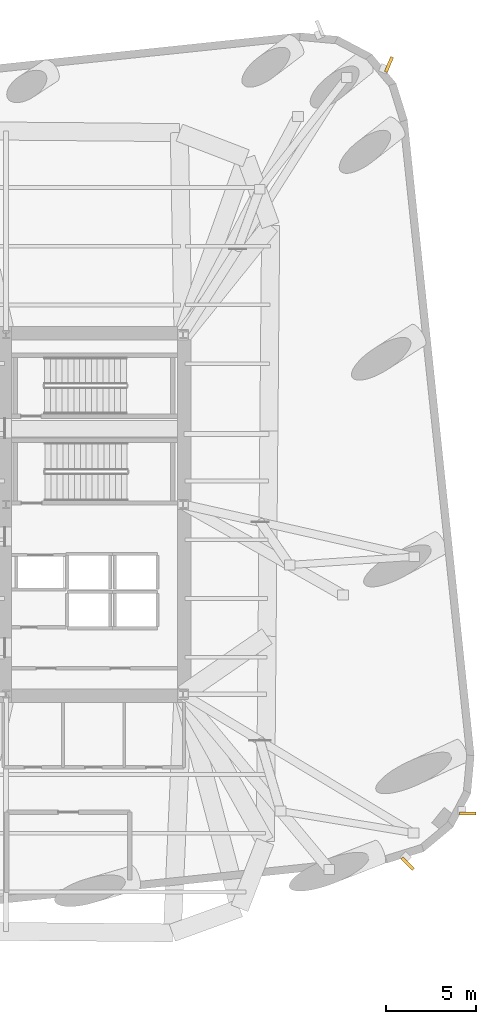
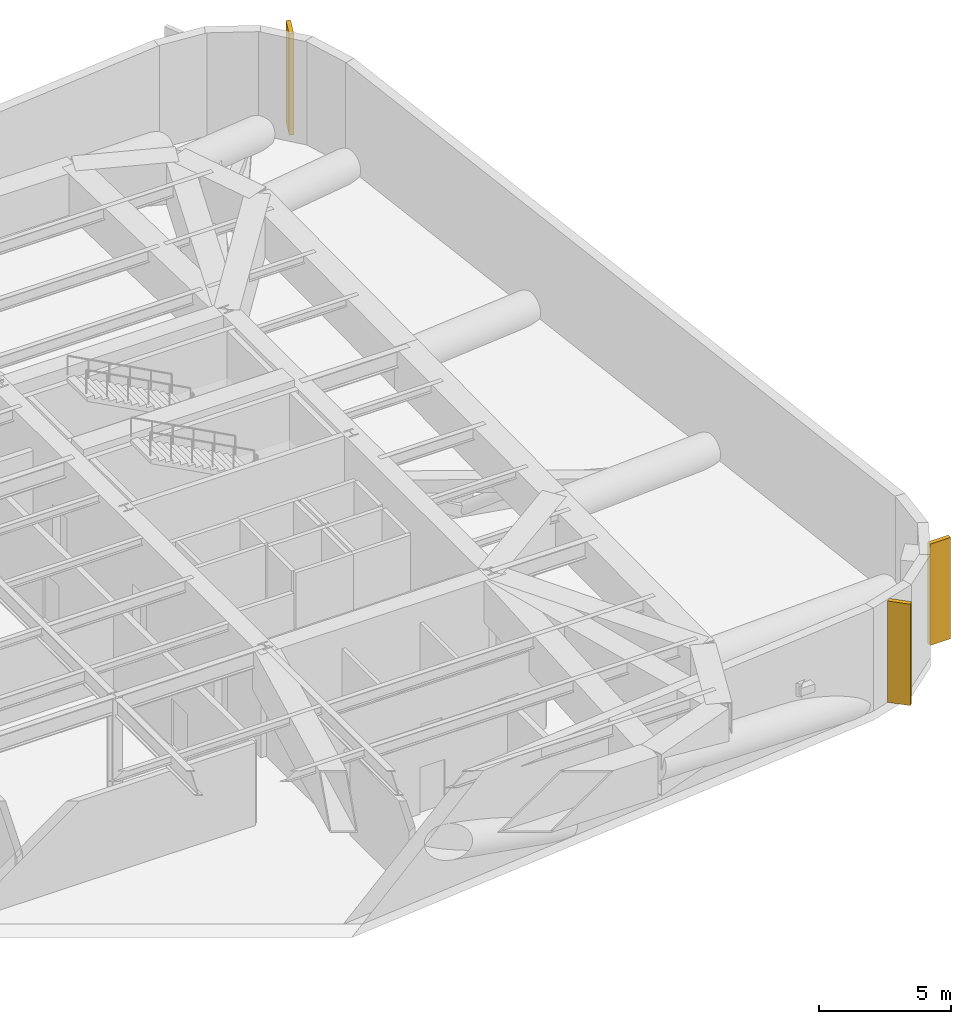
# One storey, part 15 of 15: 3 shading devices.
"""IFC4 building model written with IfcOpenShell, lengths in metres."""

from ifc_helpers import new_model, si_unit, direction, frame, origin, origin_2d, place, context, subcontext, project, spatial, rectangle, extrude, material, type_object, element, save


model = new_model("IFC4")

# Units and contexts
model_context = context("Model", 3, precision=1e-05, world=origin(), true_north=direction((0.0, 1.0)))
body_context = subcontext(model_context, "Body", "Model", "MODEL_VIEW")
ifc_project = project(units=[si_unit("LENGTHUNIT", "METRE"), si_unit("AREAUNIT", "SQUARE_METRE"), si_unit("VOLUMEUNIT", "CUBIC_METRE"), si_unit("PLANEANGLEUNIT", "RADIAN"), si_unit("MASSUNIT", "GRAM", prefix="KILO")], contexts=[model_context])

# Site, building, storey
site_placement = place(None, origin())
site = spatial("IfcSite", under=ifc_project, at=site_placement, CompositionType="ELEMENT")
building_placement = place(site_placement, origin())
building = spatial("IfcBuilding", under=site, at=building_placement, Name="Kolvaren Arena Tower", CompositionType="ELEMENT")
storey_placement = place(building_placement, frame((0.0, 0.0, 153.25)))
storey = spatial("IfcBuildingStorey", under=building, at=storey_placement, Name="L36", CompositionType="ELEMENT", Elevation=153.25)

# Shading devices
ifc_material = material(Name="Precast architectural concrete C50/60 rib fin", Category="concrete")
shading_device_type = type_object("IfcShadingDeviceType", Name="SHAD-FIN-28", PredefinedType="USERDEFINED", material=ifc_material)
for number, where, z_axis, x_axis, name in (
    (1, (72.7763671875, 10.080078125, 0.02001953125), (0.0, 0.0, 1.0), (0.710184146885, -0.704015963962, 0.0), "Precast 28-Deg Corner Rib Fin (L36)"),
    (2, (76.1044921875, 12.848388671875, 0.02001953125), (0.0, 0.0, 1.0), (0.999990541547, 0.004349346783, 0.0), "Precast 28-Deg Corner Rib Fin (L36)"),
    (3, (71.747314453125, 54.304931640625, 0.02001953125), (0.0, 0.0, 1.0), (0.378634078949, 0.925546451702, 0.0), "Precast 28-Deg Corner Rib Fin (L36)"),
):
    element("IfcShadingDevice", number, at=place(storey_placement, frame(where, z_axis=z_axis, x_axis=x_axis)), inside=storey, type_object=shading_device_type, Name=name, ObjectType="FIN", PredefinedType="USERDEFINED", context=body_context, shape_type="SweptSolid", body=[
        extrude(rectangle(XDim=0.89990234375, YDim=0.179931640625, at=origin_2d()), origin(), (0.0, 0.0, 1.0), 4.669921875),
    ])

save(model, "model.ifc")
